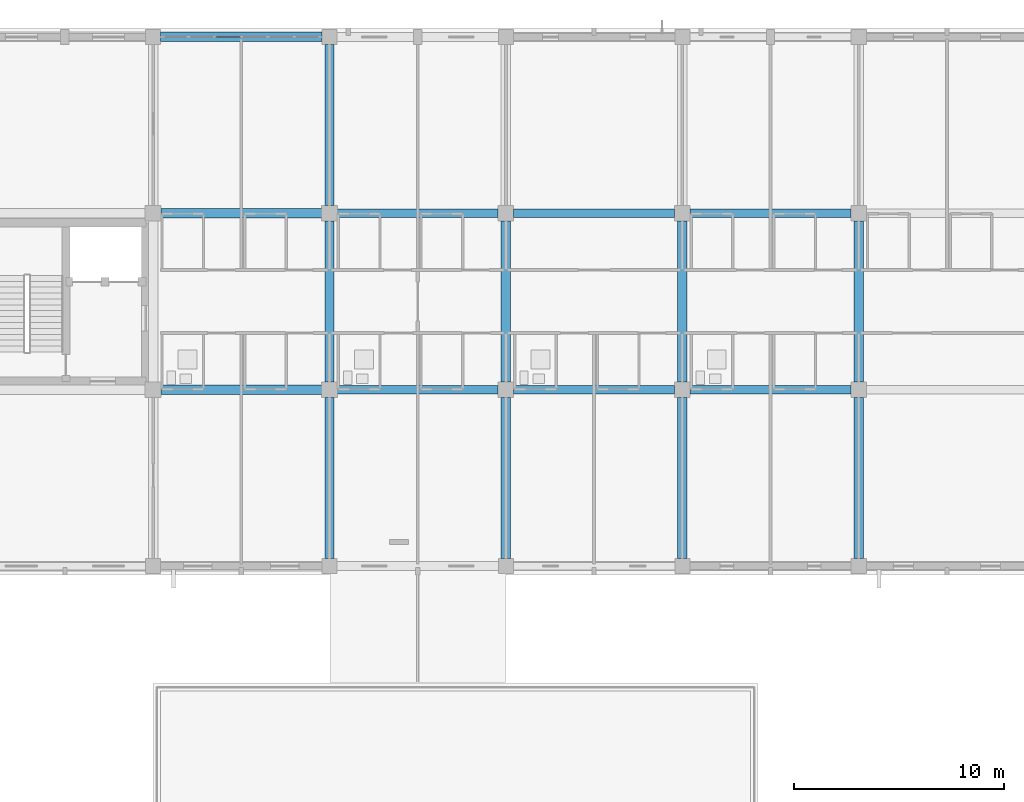
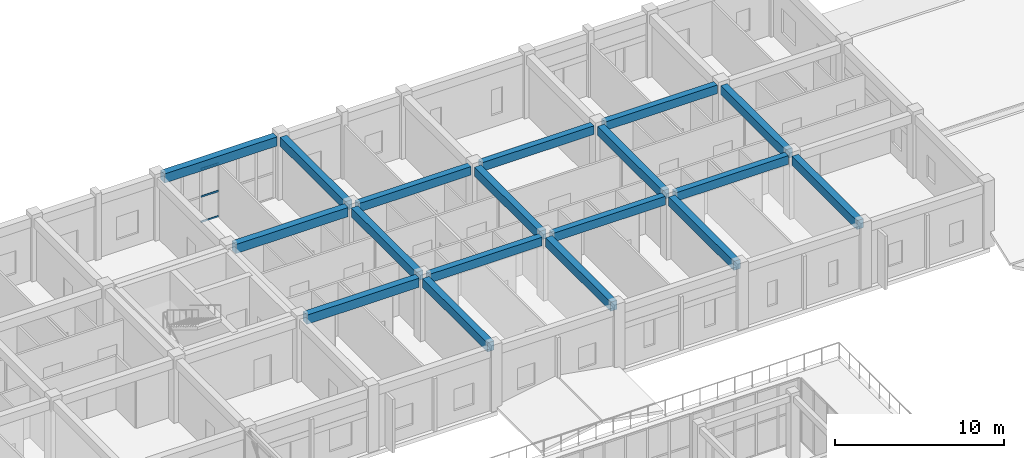
# One storey, part 88 of 158: 18 beams, 3 members, 1 element without a shape of its own.
"""IFC4 building model written with IfcOpenShell, lengths in metres."""

import ifcopenshell
import ifcopenshell.guid

model = None  # the IFC model being written
_history = None  # IfcOwnerHistory: only IFC2X3 demands one
_inside = {}  # id of a spatial element -> (the spatial element, [elements in it])
_under = {}  # id of a project, library or spatial element -> (it, [spatial elements below it])
_declared = {}  # id of a project -> (the project, [libraries it declares])
_typed = {}  # id of a type object -> (the type object, [elements of that type])
_made_of = {}  # id of a material, layer set ... -> (it, [elements and type objects made of it])


def new_model(schema):
    """Start an empty IFC model of exactly this schema.

    Asked for "IFC4X3", IfcOpenShell would pick the latest addendum, in which some entities
    have other attributes; the version numbers below select the first issue.
    IFC2X3 requires an IfcOwnerHistory on every rooted entity: one is made here for all.
    """
    global model, _history
    if schema == "IFC4X3":
        model = ifcopenshell.file(schema_version=(4, 3, 0, 0))
    else:
        model = ifcopenshell.file(schema=schema)
    _inside.clear()
    _under.clear()
    _declared.clear()
    _typed.clear()
    _made_of.clear()
    _history = None
    if model.schema == "IFC2X3":
        org = make("IfcOrganization", Name="unknown")
        user = make(
            "IfcPersonAndOrganization",
            ThePerson=make("IfcPerson", FamilyName="unknown"),
            TheOrganization=org,
        )
        app = make(
            "IfcApplication",
            ApplicationDeveloper=org,
            Version="unknown",
            ApplicationFullName="unknown",
            ApplicationIdentifier="unknown",
        )
        _history = make(
            "IfcOwnerHistory",
            OwningUser=user,
            OwningApplication=app,
            ChangeAction="ADDED",
            CreationDate=0,
        )
    return model


def make(cls, **values):
    """One entity of the class cls with the attributes given. An attribute that is None is left unset."""
    return model.create_entity(
        cls, **{name: value for name, value in values.items() if value is not None}
    )


def rooted(cls, **values):
    """An entity with a GlobalId (a new one), such as an element, a storey or a relation."""
    return make(cls, GlobalId=ifcopenshell.guid.new(), OwnerHistory=_history, **values)


def si_unit(unit_type, name, prefix=None):
    """IfcSIUnit, for example si_unit("LENGTHUNIT", "METRE", prefix="MILLI")."""
    return make("IfcSIUnit", UnitType=unit_type, Prefix=prefix, Name=name)


def assignment(units):
    """IfcUnitAssignment: the units of a project."""
    return None if units is None else make("IfcUnitAssignment", Units=units)


def point(xyz):
    """IfcCartesianPoint."""
    return None if xyz is None else make("IfcCartesianPoint", Coordinates=xyz)


def direction(xyz):
    """IfcDirection."""
    return None if xyz is None else make("IfcDirection", DirectionRatios=xyz)


def frame(location, z_axis=None, x_axis=None):
    """IfcAxis2Placement3D, a coordinate frame: its origin and axes. An axis left out is left unset."""
    return make(
        "IfcAxis2Placement3D",
        Location=point(location),
        Axis=direction(z_axis),
        RefDirection=direction(x_axis),
    )


def frame_2d(location, x_axis=None):
    """IfcAxis2Placement2D, a coordinate frame in the plane: its origin and x axis."""
    return make(
        "IfcAxis2Placement2D", Location=point(location), RefDirection=direction(x_axis)
    )


def origin():
    """The frame at (0, 0, 0) with its axes left unset."""
    return frame((0.0, 0.0, 0.0))


def origin_2d():
    """The frame at (0, 0) in the plane with its x axis left unset."""
    return frame_2d((0.0, 0.0))


def place(relative_to, where):
    """IfcLocalPlacement: puts the frame where relative to a parent placement (None: the world)."""
    return make(
        "IfcLocalPlacement", PlacementRelTo=relative_to, RelativePlacement=where
    )


def context(
    kind, dimensions, precision=None, world=None, true_north=None, identifier=None
):
    """IfcGeometricRepresentationContext, for example the 3D "Model" context."""
    return make(
        "IfcGeometricRepresentationContext",
        ContextIdentifier=identifier,
        ContextType=kind,
        CoordinateSpaceDimension=dimensions,
        Precision=precision,
        WorldCoordinateSystem=world,
        TrueNorth=true_north,
    )


def subcontext(parent, identifier, kind, view, scale=None):
    """IfcGeometricRepresentationSubContext, for example "Body" below "Model"."""
    return make(
        "IfcGeometricRepresentationSubContext",
        ContextIdentifier=identifier,
        ContextType=kind,
        ParentContext=parent,
        TargetScale=scale,
        TargetView=view,
    )


def project(units=None, contexts=None):
    """IfcProject with its units and contexts."""
    return rooted(
        "IfcProject",
        Name="project",
        RepresentationContexts=contexts,
        UnitsInContext=assignment(units),
    )


def spatial(cls, under=None, at=None, **own):
    """A site, building, storey or space (cls), placed at a placement, below another one or the project."""
    s = rooted(cls, ObjectPlacement=at, **own)
    if under is not None:
        _under.setdefault(under.id(), (under, []))[1].append(s)
    return s


def profile(cls, at=None, kind="AREA", **sizes):
    """A parametric profile (cls). Its sizes go by their IFC names, for example OverallWidth=200.0."""
    return make(cls, ProfileType=kind, Position=at, **sizes)


def rectangle(**sizes):
    """IfcRectangleProfileDef."""
    return profile("IfcRectangleProfileDef", **sizes)


def hollow_rectangle(**sizes):
    """IfcRectangleHollowProfileDef."""
    return profile("IfcRectangleHollowProfileDef", **sizes)


def extrude(swept, where, along, depth):
    """IfcExtrudedAreaSolid: the profile swept, set in the frame where, extruded along a direction by depth."""
    return make(
        "IfcExtrudedAreaSolid",
        SweptArea=swept,
        Position=where,
        ExtrudedDirection=direction(along),
        Depth=depth,
    )


def shape(context_of_items, identifier, shape_type, items):
    """IfcShapeRepresentation: the items that make up one representation, for example the "Body"."""
    return make(
        "IfcShapeRepresentation",
        ContextOfItems=context_of_items,
        RepresentationIdentifier=identifier,
        RepresentationType=shape_type,
        Items=items,
    )


def material(Name=None, Category=None):
    """IfcMaterial."""
    return make("IfcMaterial", Name=Name, Category=Category)


def layer(
    of_material, thickness, ventilated=None, Name=None, Category=None, Priority=None
):
    """IfcMaterialLayer: one layer of a wall or slab, of a material (None: an air gap)."""
    return make(
        "IfcMaterialLayer",
        Material=of_material,
        LayerThickness=thickness,
        IsVentilated=ventilated,
        Name=Name,
        Category=Category,
        Priority=Priority,
    )


def layer_set(layers, Name=None):
    """IfcMaterialLayerSet."""
    return make("IfcMaterialLayerSet", MaterialLayers=layers, LayerSetName=Name)


def material_profile(
    of_material, cross_section, Name=None, Category=None, Priority=None
):
    """IfcMaterialProfile: a cross section and its material."""
    return make(
        "IfcMaterialProfile",
        Name=Name,
        Material=of_material,
        Profile=cross_section,
        Priority=Priority,
        Category=Category,
    )


def profile_set(profiles, Name=None, composite=None):
    """IfcMaterialProfileSet."""
    return make(
        "IfcMaterialProfileSet",
        Name=Name,
        MaterialProfiles=profiles,
        CompositeProfile=composite,
    )


def made_of(thing, what):
    """Note that an element or type object is made of a material, layer set ...; save() writes the relation."""
    if what is not None:
        _made_of.setdefault(what.id(), (what, []))[1].append(thing)
    return thing


def type_object(cls, material=None, **own):
    """A type object (cls), such as IfcWallType, which elements share."""
    return made_of(rooted(cls, **own), material)


def element(
    cls,
    number,
    at=None,
    inside=None,
    cuts=None,
    type_object=None,
    material=None,
    context=None,
    identifier="Body",
    shape_type=None,
    held_by="IfcProductDefinitionShape",
    body=None,
    shapes=None,
    **own,
):
    """One element of the class cls, such as IfcWall. Its Tag is "e" and its number.

    at: its placement. inside: the storey or other place that contains it. cuts: it is an
    opening in that element (IfcRelVoidsElement). A single representation is given by context,
    identifier, shape_type and body (its items); several are given by shapes. held_by: the class
    of the entity that holds the representations. save() writes the other relations.
    """
    e = rooted(cls, Tag="e%d" % number, ObjectPlacement=at, **own)
    if body is not None:
        shapes = [shape(context, identifier, shape_type, body)]
    if shapes is not None:
        e.Representation = make(held_by, Representations=shapes)
    if inside is not None:
        _inside.setdefault(inside.id(), (inside, []))[1].append(e)
    if cuts is not None:
        rooted(
            "IfcRelVoidsElement", RelatingBuildingElement=cuts, RelatedOpeningElement=e
        )
    if type_object is not None:
        _typed.setdefault(type_object.id(), (type_object, []))[1].append(e)
    return made_of(e, material)


def aggregate(whole, parts):
    """IfcRelAggregates: a whole, such as a stair, and the parts it consists of."""
    return rooted("IfcRelAggregates", RelatingObject=whole, RelatedObjects=parts)


def save(model, path):
    """Write the relations noted so far, then the file.

    IfcRelAggregates (storeys below a building ...), IfcRelContainedInSpatialStructure (elements
    in a storey), IfcRelDefinesByType, IfcRelAssociatesMaterial and IfcRelDeclares: one each for
    every whole, place, type object, material and project.
    """
    for whole, parts in _under.values():
        aggregate(whole, parts)
    for where, things in _inside.values():
        rooted(
            "IfcRelContainedInSpatialStructure",
            RelatedElements=things,
            RelatingStructure=where,
        )
    for kind, things in _typed.values():
        rooted("IfcRelDefinesByType", RelatedObjects=things, RelatingType=kind)
    for what, things in _made_of.values():
        rooted("IfcRelAssociatesMaterial", RelatedObjects=things, RelatingMaterial=what)
    for by, libraries in _declared.values():
        rooted("IfcRelDeclares", RelatingContext=by, RelatedDefinitions=libraries)
    model.write(path)


model = new_model("IFC4")

# Units and contexts
model_context = context("Model", 3, precision=1e-05, world=origin(), true_north=direction((0.0, 1.0)))
body_context = subcontext(model_context, "Body", "Model", "MODEL_VIEW")
ifc_project = project(units=[si_unit("LENGTHUNIT", "METRE"), si_unit("AREAUNIT", "SQUARE_METRE"), si_unit("VOLUMEUNIT", "CUBIC_METRE"), si_unit("PLANEANGLEUNIT", "RADIAN"), si_unit("MASSUNIT", "GRAM", prefix="KILO")], contexts=[model_context])

# Site, building, storey
site_placement = place(None, origin())
site = spatial("IfcSite", under=ifc_project, at=site_placement, CompositionType="ELEMENT")
building_placement = place(site_placement, origin())
building = spatial("IfcBuilding", under=site, at=building_placement, Name="Trelvath General Hospital", CompositionType="ELEMENT")
storey_placement = place(building_placement, frame((0.0, 0.0, 8.10009765625)))
storey = spatial("IfcBuildingStorey", under=building, at=storey_placement, Name="L02", CompositionType="ELEMENT", Elevation=8.10009765625)

# Beams
ifc_material_1 = material(Name="Concrete C35/45", Category="concrete")
ifc_material_profile_1 = material_profile(ifc_material_1, rectangle(XDim=0.419921875, YDim=0.6201171875, at=origin_2d()), Name="RCB420x620")
ifc_profile_set_1 = profile_set([ifc_material_profile_1], Name="Concrete C35/45")
beam_type_1 = type_object("IfcBeamType", Name="Beam RC420x620", PredefinedType="BEAM", material=ifc_profile_set_1)
for number, where, z_axis, x_axis, name in (
    (1, (101.1650390625, 100.800048828125, 4.2099609375), (1.0, 0.0, 0.0), (0.0, 1.0, 0.0), "Grid Beam BX-212M"),
    (2, (101.1650390625, 109.199951171875, 4.2099609375), (1.0, 0.0, 0.0), (0.0, 1.0, 0.0), "Grid Beam BX-212N"),
):
    element("IfcBeam", number, at=place(storey_placement, frame(where, z_axis=z_axis, x_axis=x_axis)), inside=storey, type_object=beam_type_1, Name=name, PredefinedType="BEAM", context=body_context, shape_type="SweptSolid", body=[
        extrude(rectangle(XDim=0.419921875, YDim=0.6201171875, at=origin_2d()), origin(), (0.0, 0.0, 1.0), 7.669921875),
    ])
for number, where, z_axis, x_axis, name in (
    (3, (109.56494140625, 100.800048828125, 4.2099609375), (1.0, 0.0, 0.0), (0.0, 1.0, 0.0), "Grid Beam BX-213M"),
    (4, (109.56494140625, 109.199951171875, 4.2099609375), (1.0, 0.0, 0.0), (0.0, 1.0, 0.0), "Grid Beam BX-213N"),
):
    element("IfcBeam", number, at=place(storey_placement, frame(where, z_axis=z_axis, x_axis=x_axis)), inside=storey, type_object=beam_type_1, Name=name, PredefinedType="BEAM", context=body_context, shape_type="SweptSolid", body=[
        extrude(rectangle(XDim=0.419921875, YDim=0.6201171875, at=origin_2d()), origin(), (0.0, 0.0, 1.0), 7.670166015625),
    ])
for number, where, z_axis, x_axis, name in (
    (5, (117.965087890625, 100.800048828125, 4.2099609375), (1.0, 0.0, 0.0), (0.0, 1.0, 0.0), "Grid Beam BX-214M"),
    (6, (117.965087890625, 109.199951171875, 4.2099609375), (1.0, 0.0, 0.0), (0.0, 1.0, 0.0), "Grid Beam BX-214N"),
):
    element("IfcBeam", number, at=place(storey_placement, frame(where, z_axis=z_axis, x_axis=x_axis)), inside=storey, type_object=beam_type_1, Name=name, PredefinedType="BEAM", context=body_context, shape_type="SweptSolid", body=[
        extrude(rectangle(XDim=0.419921875, YDim=0.6201171875, at=origin_2d()), origin(), (0.0, 0.0, 1.0), 7.669921875),
    ])
ifc_material_2 = material(Name="Concrete C35/45", Category="concrete")
ifc_material_profile_2 = material_profile(ifc_material_2, rectangle(XDim=0.449951171875, YDim=0.64990234375, at=origin_2d()), Name="RCB450x650")
ifc_profile_set_2 = profile_set([ifc_material_profile_2], Name="Concrete C35/45")
beam_type_2 = type_object("IfcBeamType", Name="Beam RC450x650", PredefinedType="BEAM", material=ifc_profile_set_2)
beam_1_placement = place(storey_placement, frame((100.800048828125, 92.7548828125, 4.19482421875), z_axis=(0.0, 1.0, 0.0), x_axis=(-1.0, 0.0, 0.0)))
element("IfcBeam", 7, at=beam_1_placement, inside=storey, type_object=beam_type_2, Name="Grid Beam BY-212L", PredefinedType="BEAM", context=body_context, shape_type="SweptSolid", body=[
    extrude(rectangle(XDim=0.449951171875, YDim=0.64990234375, at=origin_2d()), origin(), (0.0, 0.0, 1.0), 7.68017578125),
])
beam_2_placement = place(storey_placement, frame((100.800048828125, 101.1650390625, 4.19482421875), z_axis=(0.0, 1.0, 0.0), x_axis=(-1.0, 0.0, 0.0)))
element("IfcBeam", 8, at=beam_2_placement, inside=storey, type_object=beam_type_2, Name="Grid Beam BY-212M", PredefinedType="BEAM", context=body_context, shape_type="SweptSolid", body=[
    extrude(rectangle(XDim=0.449951171875, YDim=0.64990234375, at=origin_2d()), origin(), (0.0, 0.0, 1.0), 7.669921875),
])
for number, where, z_axis, x_axis, name in (
    (9, (100.800048828125, 109.56494140625, 4.19482421875), (0.0, 1.0, 0.0), (-1.0, 0.0, 0.0), "Grid Beam BY-212N"),
    (10, (109.199951171875, 92.7548828125, 4.19482421875), (0.0, 1.0, 0.0), (-1.0, 0.0, 0.0), "Grid Beam BY-213L"),
):
    element("IfcBeam", number, at=place(storey_placement, frame(where, z_axis=z_axis, x_axis=x_axis)), inside=storey, type_object=beam_type_2, Name=name, PredefinedType="BEAM", context=body_context, shape_type="SweptSolid", body=[
        extrude(rectangle(XDim=0.449951171875, YDim=0.64990234375, at=origin_2d()), origin(), (0.0, 0.0, 1.0), 7.68017578125),
    ])
beam_3_placement = place(storey_placement, frame((109.199951171875, 101.1650390625, 4.19482421875), z_axis=(0.0, 1.0, 0.0), x_axis=(-1.0, 0.0, 0.0)))
element("IfcBeam", 11, at=beam_3_placement, inside=storey, type_object=beam_type_2, Name="Grid Beam BY-213M", PredefinedType="BEAM", context=body_context, shape_type="SweptSolid", body=[
    extrude(rectangle(XDim=0.449951171875, YDim=0.64990234375, at=origin_2d()), origin(), (0.0, 0.0, 1.0), 7.669921875),
])
beam_4_placement = place(storey_placement, frame((117.60009765625, 92.7548828125, 4.19482421875), z_axis=(0.0, 1.0, 0.0), x_axis=(-1.0, 0.0, 0.0)))
element("IfcBeam", 12, at=beam_4_placement, inside=storey, type_object=beam_type_2, Name="Grid Beam BY-214L", PredefinedType="BEAM", context=body_context, shape_type="SweptSolid", body=[
    extrude(rectangle(XDim=0.449951171875, YDim=0.64990234375, at=origin_2d()), origin(), (0.0, 0.0, 1.0), 7.68017578125),
])
beam_5_placement = place(storey_placement, frame((117.60009765625, 101.1650390625, 4.19482421875), z_axis=(0.0, 1.0, 0.0), x_axis=(-1.0, 0.0, 0.0)))
element("IfcBeam", 13, at=beam_5_placement, inside=storey, type_object=beam_type_2, Name="Grid Beam BY-214M", PredefinedType="BEAM", context=body_context, shape_type="SweptSolid", body=[
    extrude(rectangle(XDim=0.449951171875, YDim=0.64990234375, at=origin_2d()), origin(), (0.0, 0.0, 1.0), 7.669921875),
])
beam_6_placement = place(storey_placement, frame((126.0, 92.7548828125, 4.19482421875), z_axis=(0.0, 1.0, 0.0), x_axis=(-1.0, 0.0, 0.0)))
element("IfcBeam", 14, at=beam_6_placement, inside=storey, type_object=beam_type_2, Name="Grid Beam BY-215L", PredefinedType="BEAM", context=body_context, shape_type="SweptSolid", body=[
    extrude(rectangle(XDim=0.449951171875, YDim=0.64990234375, at=origin_2d()), origin(), (0.0, 0.0, 1.0), 7.68017578125),
])
beam_7_placement = place(storey_placement, frame((126.0, 101.1650390625, 4.19482421875), z_axis=(0.0, 1.0, 0.0), x_axis=(-1.0, 0.0, 0.0)))
element("IfcBeam", 15, at=beam_7_placement, inside=storey, type_object=beam_type_2, Name="Grid Beam BY-215M", PredefinedType="BEAM", context=body_context, shape_type="SweptSolid", body=[
    extrude(rectangle(XDim=0.449951171875, YDim=0.64990234375, at=origin_2d()), origin(), (0.0, 0.0, 1.0), 7.669921875),
])
ifc_material_3 = material(Name="Concrete C35/45", Category="concrete")
ifc_material_profile_3 = material_profile(ifc_material_3, rectangle(XDim=0.4599609375, YDim=0.659912109375, at=origin_2d()), Name="RCB460x660")
ifc_profile_set_3 = profile_set([ifc_material_profile_3], Name="Concrete C35/45")
beam_type_3 = type_object("IfcBeamType", Name="Beam RC460x660", PredefinedType="BEAM", material=ifc_profile_set_3)
for number, where, z_axis, x_axis, name in (
    (16, (92.77001953125, 100.800048828125, 4.18994140625), (1.0, 0.0, 0.0), (0.0, 1.0, 0.0), "Grid Beam BX-211M"),
    (17, (92.77001953125, 109.199951171875, 4.18994140625), (1.0, 0.0, 0.0), (0.0, 1.0, 0.0), "Grid Beam BX-211N"),
):
    element("IfcBeam", number, at=place(storey_placement, frame(where, z_axis=z_axis, x_axis=x_axis)), inside=storey, type_object=beam_type_3, Name=name, PredefinedType="BEAM", context=body_context, shape_type="SweptSolid", body=[
        extrude(rectangle(XDim=0.4599609375, YDim=0.659912109375, at=origin_2d()), origin(), (0.0, 0.0, 1.0), 7.6650390625),
    ])
beam_8_placement = place(storey_placement, frame((92.7548828125, 117.60009765625, 4.18994140625), z_axis=(1.0, 0.0, 0.0), x_axis=(0.0, 1.0, 0.0)))
element("IfcBeam", 18, at=beam_8_placement, inside=storey, type_object=beam_type_3, Name="Grid Beam BX-211O", PredefinedType="BEAM", context=body_context, shape_type="SweptSolid", body=[
    extrude(rectangle(XDim=0.4599609375, YDim=0.659912109375, at=origin_2d()), origin(), (0.0, 0.0, 1.0), 7.690185546875),
])

# Curtain wall, members
ifc_material_4 = material(Name="Anodised aluminium and low-E glass", Category="aluminium")
ifc_layer = layer(ifc_material_4, 0.159912109375)
ifc_layer_set = layer_set([ifc_layer], Name="Anodised aluminium and low-E glass")
curtain_wall_type = type_object("IfcCurtainWallType", Name="CW Facade 757 386 16", PredefinedType="USERDEFINED", material=ifc_layer_set)
curtain_wall_placement = place(storey_placement, origin())
curtain_wall = element("IfcCurtainWall", 19, at=curtain_wall_placement, inside=storey, type_object=curtain_wall_type, Name="Facade Curtain Wall CW-045", ObjectType="Unitised Glazed Curtain Wall", PredefinedType="USERDEFINED")
ifc_material_5 = material(Name="Anodised aluminium", Category="aluminium")
ifc_material_profile_4 = material_profile(ifc_material_5, hollow_rectangle(XDim=0.06005859375, YDim=0.125, WallThickness=0.00390625, at=origin_2d()), Name="RHS60x125x4")
ifc_profile_set_4 = profile_set([ifc_material_profile_4], Name="Anodised aluminium")
member_type = type_object("IfcMemberType", Name="CurtainTransom 60x125", PredefinedType="USERDEFINED", material=ifc_profile_set_4)
member_1_placement = place(storey_placement, frame((95.368408203125, 117.60009765625, 0.02978515625), z_axis=(1.0, 0.0, 0.0), x_axis=(0.0, 1.0, 0.0)))
member_1 = element("IfcMember", 20, at=member_1_placement, type_object=member_type, Name="CW-045 transom 3.1", ObjectType="TRANSOM", PredefinedType="USERDEFINED", context=body_context, shape_type="SweptSolid", body=[
    extrude(hollow_rectangle(XDim=0.06005859375, YDim=0.125, WallThickness=0.00390625, at=origin_2d()), origin(), (0.0, 0.0, 1.0), 1.20166015625),
])
member_2_placement = place(storey_placement, frame((95.368408203125, 117.60009765625, 1.852783203125), z_axis=(1.0, 0.0, 0.0), x_axis=(0.0, 1.0, 0.0)))
member_2 = element("IfcMember", 21, at=member_2_placement, type_object=member_type, Name="CW-045 transom 3.2", ObjectType="TRANSOM", PredefinedType="USERDEFINED", context=body_context, shape_type="SweptSolid", body=[
    extrude(hollow_rectangle(XDim=0.06005859375, YDim=0.125, WallThickness=0.00390625, at=origin_2d()), origin(), (0.0, 0.0, 1.0), 1.20166015625),
])
member_3_placement = place(storey_placement, frame((95.368408203125, 117.60009765625, 3.829833984375), z_axis=(1.0, 0.0, 0.0), x_axis=(0.0, 1.0, 0.0)))
member_3 = element("IfcMember", 22, at=member_3_placement, type_object=member_type, Name="CW-045 transom 3.3", ObjectType="TRANSOM", PredefinedType="USERDEFINED", context=body_context, shape_type="SweptSolid", body=[
    extrude(hollow_rectangle(XDim=0.06005859375, YDim=0.125, WallThickness=0.00390625, at=origin_2d()), origin(), (0.0, 0.0, 1.0), 1.20166015625),
])
aggregate(curtain_wall, [member_1, member_2, member_3])

save(model, "model.ifc")
